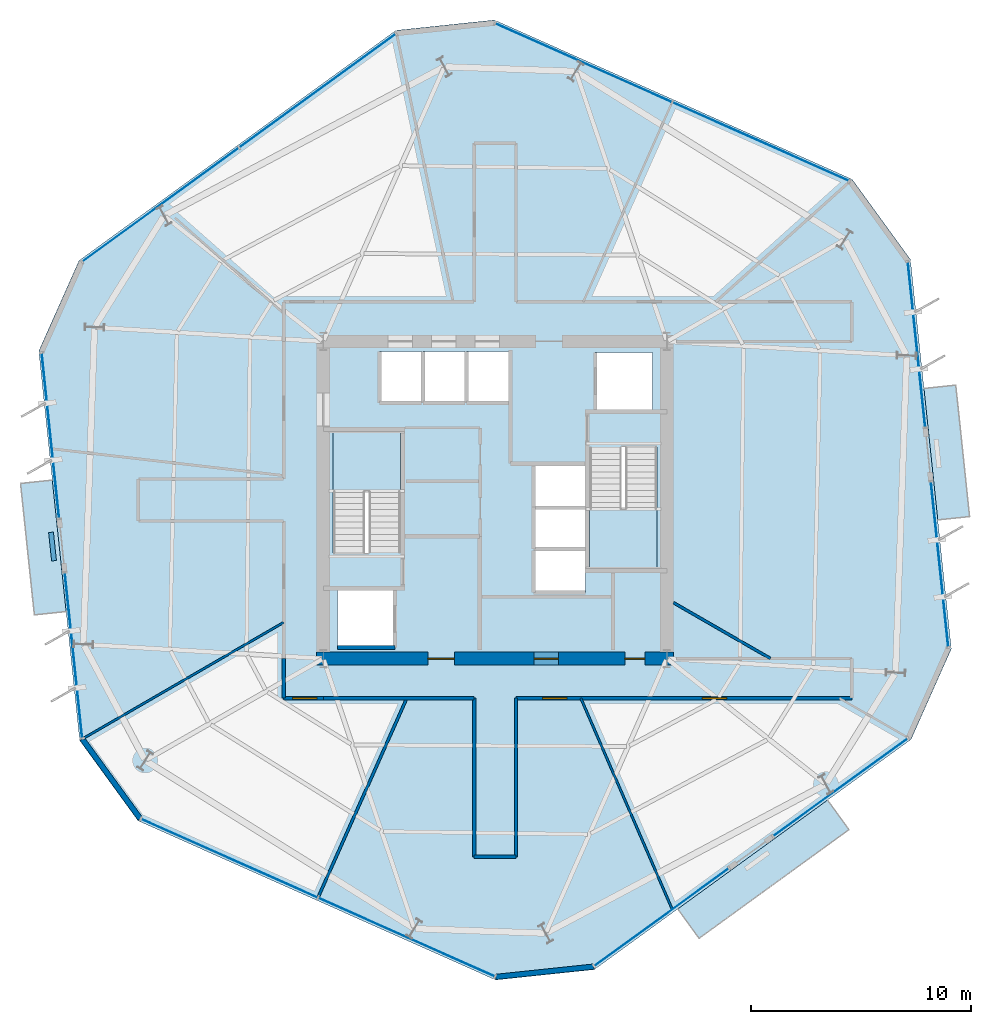
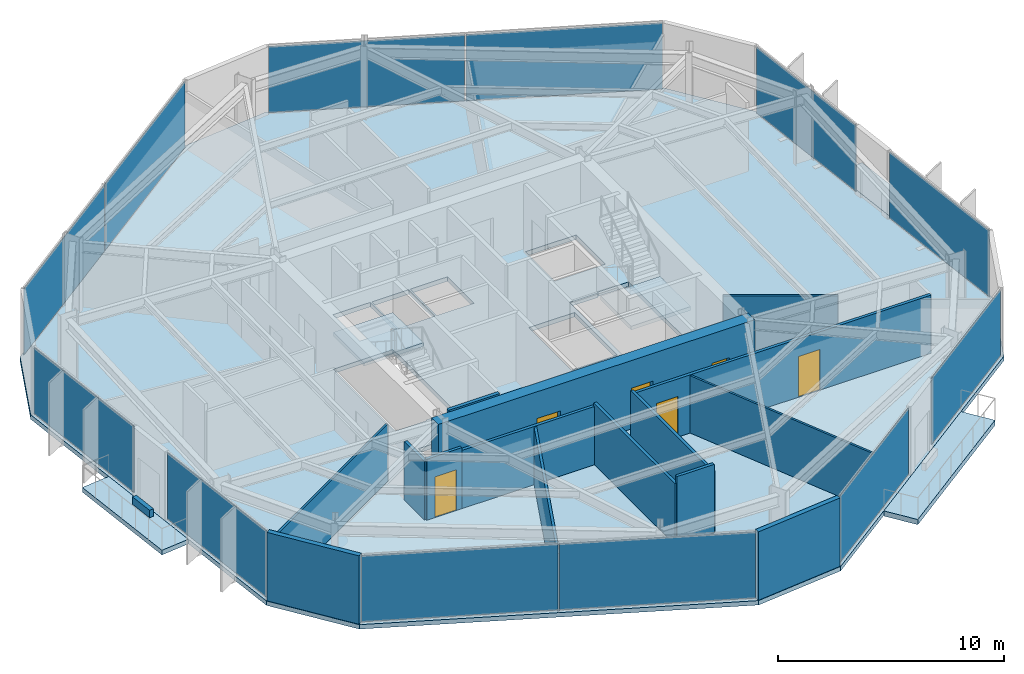
# One storey, part 6 of 12: 16 walls, 12 plates, 6 doors, 6 slabs, 6 openings, 11 elements without a shape of their own.
"""IFC4 building model written with IfcOpenShell, lengths in metres."""

from ifc_helpers import new_model, si_unit, direction, frame, frame_2d, origin, origin_2d, place, context, subcontext, project, spatial, polyline, rectangle, outline, extrude, material, layer, layer_set, type_object, element, fill, aggregate, save


model = new_model("IFC4")

# Units and contexts
model_context = context("Model", 3, precision=1e-05, world=origin(), true_north=direction((0.0, 1.0)))
body_context = subcontext(model_context, "Body", "Model", "MODEL_VIEW")
ifc_project = project(units=[si_unit("LENGTHUNIT", "METRE"), si_unit("AREAUNIT", "SQUARE_METRE"), si_unit("VOLUMEUNIT", "CUBIC_METRE"), si_unit("PLANEANGLEUNIT", "RADIAN"), si_unit("MASSUNIT", "GRAM", prefix="KILO")], contexts=[model_context])

# Site, building, storey
site_placement = place(None, origin())
site = spatial("IfcSite", under=ifc_project, at=site_placement, CompositionType="ELEMENT")
building_placement = place(site_placement, origin())
building = spatial("IfcBuilding", under=site, at=building_placement, Name="Kranzbogen Civic Tower", CompositionType="ELEMENT")
storey_placement = place(building_placement, frame((0.0, 0.0, 166.39990234375)))
storey = spatial("IfcBuildingStorey", under=building, at=storey_placement, Name="L40", CompositionType="ELEMENT", Elevation=166.39990234375)

# Slab
ifc_material_1 = material(Name="Concrete C40/50", Category="concrete")
ifc_layer_1 = layer(ifc_material_1, 0.239990234375, Name="Concrete C40/50")
ifc_layer_set_1 = layer_set([ifc_layer_1], Name="Concrete C40/50")
slab_type_1 = type_object("IfcSlabType", Name="Composite Lower Tower Floor Slab 240 mm", PredefinedType="FLOOR", material=ifc_layer_set_1)
slab_1_placement = place(storey_placement, frame((0.0, 0.0, -0.239990234375)))
element("IfcSlab", 1, at=slab_1_placement, inside=storey, type_object=slab_type_1, Name="L40 tower floor slab", PredefinedType="FLOOR", context=body_context, shape_type="SweptSolid", body=[
    extrude(outline(polyline([(41.217041015625, 39.56298828125), (24.971923828125, 46.7958984375), (20.49609375, 46.325927734375), (6.110107421875, 35.873046875), (4.280029296875, 31.761962890625), (6.137939453125, 14.076904296875), (8.782958984375, 10.43701171875), (25.028076171875, 3.2041015625), (29.50390625, 3.674072265625), (43.889892578125, 14.126953125), (45.719970703125, 18.238037109375), (43.862060546875, 35.923095703125), (41.217041015625, 39.56298828125)]), holes=[polyline([(20.449951171875, 20.89990234375), (20.449951171875, 18.300048828125), (17.85009765625, 18.300048828125), (17.85009765625, 20.89990234375), (20.449951171875, 20.89990234375)]), polyline([(29.10009765625, 22.699951171875), (29.10009765625, 20.800048828125), (26.75, 20.800048828125), (26.75, 22.699951171875), (29.10009765625, 22.699951171875)]), polyline([(29.10009765625, 24.64990234375), (29.10009765625, 22.77490234375), (26.75, 22.77490234375), (26.75, 24.64990234375), (26.75, 24.675048828125), (26.75, 26.550048828125), (29.10009765625, 26.550048828125), (29.10009765625, 24.675048828125), (29.10009765625, 24.64990234375)]), polyline([(30.75, 27.340087890625), (30.75, 27.39990234375), (32.35009765625, 27.39990234375), (32.35009765625, 21.89990234375), (29.300048828125, 21.89990234375), (29.300048828125, 27.340087890625), (30.75, 27.340087890625)]), polyline([(19.25, 22.659912109375), (19.25, 22.60009765625), (17.64990234375, 22.60009765625), (17.64990234375, 28.10009765625), (20.699951171875, 28.10009765625), (20.699951171875, 22.659912109375), (19.25, 22.659912109375)]), polyline([(32.14990234375, 31.699951171875), (32.14990234375, 29.10009765625), (29.550048828125, 29.10009765625), (29.550048828125, 31.699951171875), (32.14990234375, 31.699951171875)]), polyline([(21.64990234375, 31.75), (21.64990234375, 29.39990234375), (19.75, 29.39990234375), (19.75, 31.75), (21.64990234375, 31.75)]), polyline([(23.625, 29.39990234375), (21.72509765625, 29.39990234375), (21.72509765625, 31.75), (23.625, 31.75), (23.625, 29.39990234375)]), polyline([(25.60009765625, 29.39990234375), (23.699951171875, 29.39990234375), (23.699951171875, 31.75), (25.60009765625, 31.75), (25.60009765625, 29.39990234375)])]), origin(), (0.0, 0.0, 1.0), 0.239990234375),
])

# Curtain wall, plates
ifc_material_2 = material(Name="Pale Anodised Aluminium", Category="aluminium")
ifc_layer_2 = layer(ifc_material_2, 0.219970703125, Name="Pale Anodised Aluminium")
ifc_layer_set_2 = layer_set([ifc_layer_2], Name="Pale Anodised Aluminium")
curtain_wall_type = type_object("IfcCurtainWallType", Name="Zone 2 Stick Curtain Wall System CW-03", PredefinedType="USERDEFINED", material=ifc_layer_set_2)
curtain_wall_1_placement = place(storey_placement, origin())
curtain_wall_1 = element("IfcCurtainWall", 2, at=curtain_wall_1_placement, inside=storey, type_object=curtain_wall_type, Name="L40 curtain wall CW-L40-F1", ObjectType="STICK CURTAIN WALL", PredefinedType="USERDEFINED")
ifc_material_3 = material(Name="Low-E Triple Glazing Glass", Category="glass")
ifc_layer_3 = layer(ifc_material_3, 0.031982421875, Name="Low-E Triple Glazing Glass")
ifc_layer_set_3 = layer_set([ifc_layer_3], Name="Low-E Triple Glazing Glass")
plate_type = type_object("IfcPlateType", Name="Insulated Low-E Glazing Panel 32 mm", PredefinedType="CURTAIN_PANEL", material=ifc_layer_set_3)
plate_1_placement = place(storey_placement, frame((37.06396484375, 41.27197265625, 0.06005859375), z_axis=(0.0, 0.0, 1.0), x_axis=(-0.913533600789, 0.406763272961, 0.0)))
plate_1 = element("IfcPlate", 3, at=plate_1_placement, type_object=plate_type, Name="CW-03 panel 1.1", PredefinedType="CURTAIN_PANEL", context=body_context, shape_type="SweptSolid", body=[
    extrude(rectangle(XDim=8.744384765625, YDim=0.028076171875, at=origin_2d()), origin(), (0.0, 0.0, 1.0), 3.580078125),
])
plate_2_placement = place(storey_placement, frame((29.02099609375, 44.85302734375, 0.06005859375), z_axis=(0.0, 0.0, 1.0), x_axis=(-0.913533600789, 0.406763272961, 0.0)))
plate_2 = element("IfcPlate", 4, at=plate_2_placement, type_object=plate_type, Name="CW-03 panel 2.1", PredefinedType="CURTAIN_PANEL", context=body_context, shape_type="SweptSolid", body=[
    extrude(rectangle(XDim=8.744384765625, YDim=0.028076171875, at=origin_2d()), origin(), (0.0, 0.0, 1.0), 3.580078125),
])
aggregate(curtain_wall_1, [plate_1, plate_2])

curtain_wall_2_placement = place(storey_placement, origin())
curtain_wall_2 = element("IfcCurtainWall", 5, at=curtain_wall_2_placement, inside=storey, type_object=curtain_wall_type, Name="L40 curtain wall CW-L40-F2", ObjectType="STICK CURTAIN WALL", PredefinedType="USERDEFINED")
plate_3_placement = place(storey_placement, frame((16.939453125, 43.583740234375, 0.06005859375), z_axis=(0.0, 0.0, 1.0), x_axis=(-0.808995433377, -0.587814927315, 0.0)))
plate_3 = element("IfcPlate", 6, at=plate_3_placement, type_object=plate_type, Name="CW-03 panel 1.1", PredefinedType="CURTAIN_PANEL", context=body_context, shape_type="SweptSolid", body=[
    extrude(rectangle(XDim=8.744384765625, YDim=0.028076171875, at=origin_2d()), origin(), (0.0, 0.0, 1.0), 3.580078125),
])
plate_4_placement = place(storey_placement, frame((9.816650390625, 38.408203125, 0.06005859375), z_axis=(0.0, 0.0, 1.0), x_axis=(-0.808995433377, -0.587814927315, 0.0)))
plate_4 = element("IfcPlate", 7, at=plate_4_placement, type_object=plate_type, Name="CW-03 panel 2.1", PredefinedType="CURTAIN_PANEL", context=body_context, shape_type="SweptSolid", body=[
    extrude(rectangle(XDim=8.744384765625, YDim=0.028076171875, at=origin_2d()), origin(), (0.0, 0.0, 1.0), 3.580078125),
])
aggregate(curtain_wall_2, [plate_3, plate_4])

# Curtain wall, plate
curtain_wall_3_placement = place(storey_placement, origin())
curtain_wall_3 = element("IfcCurtainWall", 8, at=curtain_wall_3_placement, inside=storey, type_object=curtain_wall_type, Name="L40 curtain wall CW-L40-F3-S1", ObjectType="STICK CURTAIN WALL", PredefinedType="USERDEFINED")
plate_5_placement = place(storey_placement, frame((4.81201171875, 27.922607421875, 0.06005859375), z_axis=(0.0, 0.0, 1.0), x_axis=(0.104521149206, -0.99452266408, 0.0)))
plate_5 = element("IfcPlate", 9, at=plate_5_placement, type_object=plate_type, Name="CW-03 panel 1.1", PredefinedType="CURTAIN_PANEL", context=body_context, shape_type="SweptSolid", body=[
    extrude(rectangle(XDim=7.514892578125, YDim=0.028076171875, at=origin_2d()), origin(), (0.0, 0.0, 1.0), 3.580078125),
])
aggregate(curtain_wall_3, [plate_5])

curtain_wall_4_placement = place(storey_placement, origin())
curtain_wall_4 = element("IfcCurtainWall", 10, at=curtain_wall_4_placement, inside=storey, type_object=curtain_wall_type, Name="L40 curtain wall CW-L40-F3-S2", ObjectType="STICK CURTAIN WALL", PredefinedType="USERDEFINED")
plate_6_placement = place(storey_placement, frame((5.860107421875, 17.943115234375, 0.06005859375), z_axis=(0.0, 0.0, 1.0), x_axis=(0.104534766048, -0.994521232899, 0.0)))
plate_6 = element("IfcPlate", 11, at=plate_6_placement, type_object=plate_type, Name="CW-03 panel 1.1", PredefinedType="CURTAIN_PANEL", context=body_context, shape_type="SweptSolid", body=[
    extrude(rectangle(XDim=7.513916015625, YDim=0.028076171875, at=origin_2d()), origin(), (0.0, 0.0, 1.0), 3.580078125),
])
aggregate(curtain_wall_4, [plate_6])

# Curtain wall, plates
curtain_wall_5_placement = place(storey_placement, origin())
curtain_wall_5 = element("IfcCurtainWall", 12, at=curtain_wall_5_placement, inside=storey, type_object=curtain_wall_type, Name="L40 curtain wall CW-L40-F4", ObjectType="STICK CURTAIN WALL", PredefinedType="USERDEFINED")
plate_7_placement = place(storey_placement, frame((12.93603515625, 8.72802734375, 0.06005859375), z_axis=(0.0, 0.0, 1.0), x_axis=(0.913533600789, -0.406763272961, 0.0)))
plate_7 = element("IfcPlate", 13, at=plate_7_placement, type_object=plate_type, Name="CW-03 panel 1.1", PredefinedType="CURTAIN_PANEL", context=body_context, shape_type="SweptSolid", body=[
    extrude(rectangle(XDim=8.744384765625, YDim=0.028076171875, at=origin_2d()), origin(), (0.0, 0.0, 1.0), 3.580078125),
])
plate_8_placement = place(storey_placement, frame((20.97900390625, 5.14697265625, 0.06005859375), z_axis=(0.0, 0.0, 1.0), x_axis=(0.913533600789, -0.406763272961, 0.0)))
plate_8 = element("IfcPlate", 14, at=plate_8_placement, type_object=plate_type, Name="CW-03 panel 2.1", PredefinedType="CURTAIN_PANEL", context=body_context, shape_type="SweptSolid", body=[
    extrude(rectangle(XDim=8.744384765625, YDim=0.028076171875, at=origin_2d()), origin(), (0.0, 0.0, 1.0), 3.580078125),
])
aggregate(curtain_wall_5, [plate_7, plate_8])

# Curtain wall, plate
curtain_wall_6_placement = place(storey_placement, origin())
curtain_wall_6 = element("IfcCurtainWall", 15, at=curtain_wall_6_placement, inside=storey, type_object=curtain_wall_type, Name="L40 curtain wall CW-L40-F5-S1", ObjectType="STICK CURTAIN WALL", PredefinedType="USERDEFINED")
plate_9_placement = place(storey_placement, frame((32.56298828125, 6.054931640625, 0.06005859375), z_axis=(0.0, 0.0, 1.0), x_axis=(0.808962592733, 0.587860122443, 0.0)))
plate_9 = element("IfcPlate", 16, at=plate_9_placement, type_object=plate_type, Name="CW-03 panel 1.1", PredefinedType="CURTAIN_PANEL", context=body_context, shape_type="SweptSolid", body=[
    extrude(rectangle(XDim=7.514404296875, YDim=0.028076171875, at=origin_2d()), origin(), (0.0, 0.0, 1.0), 3.580078125),
])
aggregate(curtain_wall_6, [plate_9])

curtain_wall_7_placement = place(storey_placement, origin())
curtain_wall_7 = element("IfcCurtainWall", 17, at=curtain_wall_7_placement, inside=storey, type_object=curtain_wall_type, Name="L40 curtain wall CW-L40-F5-S2", ObjectType="STICK CURTAIN WALL", PredefinedType="USERDEFINED")
plate_10_placement = place(storey_placement, frame((40.680908203125, 11.952880859375, 0.06005859375), z_axis=(0.0, 0.0, 1.0), x_axis=(0.808962592733, 0.587860122443, 0.0)))
plate_10 = element("IfcPlate", 18, at=plate_10_placement, type_object=plate_type, Name="CW-03 panel 1.1", PredefinedType="CURTAIN_PANEL", context=body_context, shape_type="SweptSolid", body=[
    extrude(rectangle(XDim=7.514404296875, YDim=0.028076171875, at=origin_2d()), origin(), (0.0, 0.0, 1.0), 3.580078125),
])
aggregate(curtain_wall_7, [plate_10])

curtain_wall_8_placement = place(storey_placement, origin())
curtain_wall_8 = element("IfcCurtainWall", 19, at=curtain_wall_8_placement, inside=storey, type_object=curtain_wall_type, Name="L40 curtain wall CW-L40-F6-S1", ObjectType="STICK CURTAIN WALL", PredefinedType="USERDEFINED")
plate_11_placement = place(storey_placement, frame((45.18798828125, 22.077392578125, 0.06005859375), z_axis=(0.0, 0.0, 1.0), x_axis=(-0.104521149206, 0.99452266408, 0.0)))
plate_11 = element("IfcPlate", 20, at=plate_11_placement, type_object=plate_type, Name="CW-03 panel 1.1", PredefinedType="CURTAIN_PANEL", context=body_context, shape_type="SweptSolid", body=[
    extrude(rectangle(XDim=7.514892578125, YDim=0.028076171875, at=origin_2d()), origin(), (0.0, 0.0, 1.0), 3.580078125),
])
aggregate(curtain_wall_8, [plate_11])

curtain_wall_9_placement = place(storey_placement, origin())
curtain_wall_9 = element("IfcCurtainWall", 21, at=curtain_wall_9_placement, inside=storey, type_object=curtain_wall_type, Name="L40 curtain wall CW-L40-F6-S2", ObjectType="STICK CURTAIN WALL", PredefinedType="USERDEFINED")
plate_12_placement = place(storey_placement, frame((44.139892578125, 32.056884765625, 0.06005859375), z_axis=(0.0, 0.0, 1.0), x_axis=(-0.104534766048, 0.994521232899, 0.0)))
plate_12 = element("IfcPlate", 22, at=plate_12_placement, type_object=plate_type, Name="CW-03 panel 1.1", PredefinedType="CURTAIN_PANEL", context=body_context, shape_type="SweptSolid", body=[
    extrude(rectangle(XDim=7.513916015625, YDim=0.028076171875, at=origin_2d()), origin(), (0.0, 0.0, 1.0), 3.580078125),
])
aggregate(curtain_wall_9, [plate_12])

# Stair, slab
ifc_material_4 = material(Name="Precast concrete C40/50", Category="concrete")
stair_type_1 = type_object("IfcStairType", Name="Tower Core Pressurized Dogleg Stair 1450", PredefinedType="HALF_TURN_STAIR", material=ifc_material_4)
stair_1_placement = place(storey_placement, origin())
stair_1 = element("IfcStair", 23, at=stair_1_placement, inside=storey, type_object=stair_type_1, Name="L40 Tower Core Pressurized Stair 1", PredefinedType="HALF_TURN_STAIR")
ifc_layer_4 = layer(ifc_material_4, 0.199951171875, Name="Precast concrete C40/50")
ifc_layer_set_4 = layer_set([ifc_layer_4], Name="Precast concrete C40/50")
slab_type_2 = type_object("IfcSlabType", Name="Precast Concrete Stair Landing Slab 200 mm", PredefinedType="LANDING", material=ifc_layer_set_4)
slab_2_placement = place(storey_placement, frame((0.0, 0.0, 1.800048828125)))
slab_2 = element("IfcSlab", 24, at=slab_2_placement, type_object=slab_type_2, Name="ST-T1 landing 1", PredefinedType="LANDING", context=body_context, shape_type="SweptSolid", body=[
    extrude(outline(polyline([(20.699951171875, 25.39990234375), (20.699951171875, 28.10009765625), (17.64990234375, 28.10009765625), (17.64990234375, 25.39990234375), (20.699951171875, 25.39990234375)])), origin(), (0.0, 0.0, 1.0), 0.199951171875),
])
aggregate(stair_1, [slab_2])

stair_type_2 = type_object("IfcStairType", Name="Tower Core Secondary Dogleg Stair 1450", PredefinedType="HALF_TURN_STAIR", material=ifc_material_4)
stair_2_placement = place(storey_placement, origin())
stair_2 = element("IfcStair", 25, at=stair_2_placement, inside=storey, type_object=stair_type_2, Name="L40 Tower Core Pressurized Stair 2", PredefinedType="HALF_TURN_STAIR")
slab_3_placement = place(storey_placement, frame((0.0, 0.0, 1.800048828125)))
slab_3 = element("IfcSlab", 26, at=slab_3_placement, type_object=slab_type_2, Name="ST-T2 landing 1", PredefinedType="LANDING", context=body_context, shape_type="SweptSolid", body=[
    extrude(outline(polyline([(29.300048828125, 24.60009765625), (29.300048828125, 21.89990234375), (32.35009765625, 21.89990234375), (32.35009765625, 24.60009765625), (29.300048828125, 24.60009765625)])), origin(), (0.0, 0.0, 1.0), 0.199951171875),
])
aggregate(stair_2, [slab_3])

# Slabs
ifc_layer_5 = layer(ifc_material_1, 0.280029296875, Name="Concrete C40/50")
ifc_layer_set_5 = layer_set([ifc_layer_5], Name="Concrete C40/50")
slab_type_3 = type_object("IfcSlabType", Name="Spiral Terrace Cantilevered Slab 280 mm", PredefinedType="FLOOR", material=ifc_layer_set_5)
slab_4_placement = place(storey_placement, frame((0.0, 0.0, -0.27978515625)))
element("IfcSlab", 27, at=slab_4_placement, inside=storey, type_object=slab_type_3, Name="L40 cantilevered spiral terrace L40-ST", PredefinedType="FLOOR", context=body_context, shape_type="SweptSolid", body=[
    extrude(outline(polyline([(33.299072265625, 6.431884765625), (40.094970703125, 11.368896484375), (41.06494140625, 10.033935546875), (34.26904296875, 5.096923828125), (33.299072265625, 6.431884765625)])), origin(), (0.0, 0.0, 1.0), 0.27978515625),
])
ifc_layer_6 = layer(ifc_material_1, 0.25, Name="Concrete C40/50")
ifc_layer_set_6 = layer_set([ifc_layer_6], Name="Concrete C40/50")
slab_type_4 = type_object("IfcSlabType", Name="Tree Balcony Cantilevered Slab 250 mm", PredefinedType="FLOOR", material=ifc_layer_set_6)
slab_5_placement = place(storey_placement, frame((0.0, 0.0, -0.25)))
element("IfcSlab", 28, at=slab_5_placement, inside=storey, type_object=slab_type_4, Name="L40 cantilevered tree balcony L40-TB1", PredefinedType="FLOOR", context=body_context, shape_type="SweptSolid", body=[
    extrude(outline(polyline([(4.89501953125, 25.903076171875), (5.52294921875, 19.93603515625), (4.0810546875, 19.783935546875), (3.452880859375, 25.7509765625), (4.89501953125, 25.903076171875)])), origin(), (0.0, 0.0, 1.0), 0.25),
])
slab_6_placement = place(storey_placement, frame((0.0, 0.0, -0.25)))
element("IfcSlab", 29, at=slab_6_placement, inside=storey, type_object=slab_type_4, Name="L40 cantilevered tree balcony L40-TB2", PredefinedType="FLOOR", context=body_context, shape_type="SweptSolid", body=[
    extrude(outline(polyline([(45.10498046875, 24.096923828125), (44.47705078125, 30.06396484375), (45.9189453125, 30.216064453125), (46.547119140625, 24.2490234375), (45.10498046875, 24.096923828125)])), origin(), (0.0, 0.0, 1.0), 0.25),
])

# Wall, opening, door
ifc_material_5 = material(Name="Double-Stud Acoustic Gypsum Partition")
ifc_layer_7 = layer(ifc_material_5, 0.14990234375, Name="Double-Stud Acoustic Gypsum Partition")
ifc_layer_set_7 = layer_set([ifc_layer_7], Name="Double-Stud Acoustic Gypsum Partition")
wall_type_1 = type_object("IfcWallType", Name="Acoustic Corridor and Clinical Partition 150 mm", PredefinedType="PARTITIONING", material=ifc_layer_set_7)
wall_1_placement = place(storey_placement, frame((17.199951171875, 16.0, 0.0), z_axis=(0.0, 0.0, 1.0), x_axis=(-1.0, 0.0, 0.0)))
wall_1 = element("IfcWall", 30, at=wall_1_placement, inside=storey, type_object=wall_type_1, Name="L40 corridor partition 01", PredefinedType="PARTITIONING", context=body_context, shape_type="SweptSolid", body=[
    extrude(rectangle(XDim=1.800048828125, YDim=0.14990234375, at=frame_2d((0.89990234375, 0.0))), origin(), (0.0, 0.0, 1.0), 3.300048828125),
])
opening_1_placement = place(wall_1_placement, frame((0.287109375, 0.0, 0.0)))
opening_1 = element("IfcOpeningElement", 31, at=opening_1_placement, cuts=wall_1, Name="Opening D-COR60", PredefinedType="OPENING", context=body_context, shape_type="SweptSolid", body=[
    extrude(rectangle(XDim=1.10009765625, YDim=2.199951171875, at=frame_2d((0.550048828125, 1.10009765625))), frame((0.0, 0.0849609375, 0.0), z_axis=(0.0, -1.0, 0.0), x_axis=(1.0, 0.0, 0.0)), (0.0, 0.0, 1.0), 0.169921875),
])
ifc_material_6 = material(Name="Oak Timber and Fire Core", Category="wood")
door_type_1 = type_object("IfcDoorType", Name="Corridor Acoustic Fire Door 1100x2200", OperationType="NOTDEFINED", PredefinedType="DOOR", material=ifc_material_6)
door_1_placement = place(opening_1_placement, origin())
door_1 = element("IfcDoor", 32, at=door_1_placement, inside=storey, type_object=door_type_1, Name="L40 Urban Design Workshop door", OperationType="SINGLE_SWING_LEFT", OverallHeight=2.199951171875, OverallWidth=1.10009765625, PredefinedType="DOOR", context=body_context, shape_type="SweptSolid", body=[
    extrude(rectangle(XDim=1.10009765625, YDim=2.199951171875, at=frame_2d((0.550048828125, 1.10009765625))), frame((0.0, 0.02490234375, 0.0), z_axis=(0.0, -1.0, 0.0), x_axis=(1.0, 0.0, 0.0)), (0.0, 0.0, 1.0), 0.050048828125),
])
fill(opening_1, door_1)

# Wall
wall_2_placement = place(storey_placement, frame((15.39990234375, 16.0, 0.0), z_axis=(0.0, 0.0, 1.0), x_axis=(0.0, 1.0, 0.0)))
element("IfcWall", 33, at=wall_2_placement, inside=storey, type_object=wall_type_1, Name="L40 corridor partition 02", PredefinedType="PARTITIONING", context=body_context, shape_type="SweptSolid", body=[
    extrude(rectangle(XDim=1.800048828125, YDim=0.14990234375, at=frame_2d((0.89990234375, 0.0))), origin(), (0.0, 0.0, 1.0), 3.150146484375),
])

# Wall, openings, doors
wall_3_placement = place(storey_placement, frame((41.199951171875, 16.0, 0.0), z_axis=(0.0, 0.0, 1.0), x_axis=(-1.0, 0.0, 0.0)))
wall_3 = element("IfcWall", 34, at=wall_3_placement, inside=storey, type_object=wall_type_1, Name="L40 corridor partition 19", PredefinedType="PARTITIONING", context=body_context, shape_type="SweptSolid", body=[
    extrude(rectangle(XDim=15.25, YDim=0.14990234375, at=frame_2d((7.625, 0.0))), origin(), (0.0, 0.0, 1.0), 3.150146484375),
])
opening_2_placement = place(wall_3_placement, frame((12.943115234375, 0.0, 0.0)))
opening_2 = element("IfcOpeningElement", 35, at=opening_2_placement, cuts=wall_3, Name="Opening D-COR60", PredefinedType="OPENING", context=body_context, shape_type="SweptSolid", body=[
    extrude(rectangle(XDim=1.10009765625, YDim=2.199951171875, at=frame_2d((0.550048828125, 1.10009765625))), frame((0.0, 0.0849609375, 0.0), z_axis=(0.0, -1.0, 0.0), x_axis=(1.0, 0.0, 0.0)), (0.0, 0.0, 1.0), 0.169921875),
])
opening_3_placement = place(wall_3_placement, frame((5.679931640625, 0.0, 0.0)))
opening_3 = element("IfcOpeningElement", 36, at=opening_3_placement, cuts=wall_3, Name="Opening D-COR60", PredefinedType="OPENING", context=body_context, shape_type="SweptSolid", body=[
    extrude(rectangle(XDim=1.10009765625, YDim=2.199951171875, at=frame_2d((0.550048828125, 1.10009765625))), frame((0.0, 0.0849609375, 0.0), z_axis=(0.0, -1.0, 0.0), x_axis=(1.0, 0.0, 0.0)), (0.0, 0.0, 1.0), 0.169921875),
])
door_2_placement = place(opening_2_placement, origin())
door_2 = element("IfcDoor", 37, at=door_2_placement, inside=storey, type_object=door_type_1, Name="L40 Cultural Screening Clubroom door", OperationType="SINGLE_SWING_RIGHT", OverallHeight=2.199951171875, OverallWidth=1.10009765625, PredefinedType="DOOR", context=body_context, shape_type="SweptSolid", body=[
    extrude(rectangle(XDim=1.10009765625, YDim=2.199951171875, at=frame_2d((0.550048828125, 1.10009765625))), frame((0.0, 0.02490234375, 0.0), z_axis=(0.0, -1.0, 0.0), x_axis=(1.0, 0.0, 0.0)), (0.0, 0.0, 1.0), 0.050048828125),
])
fill(opening_2, door_2)
door_3_placement = place(opening_3_placement, origin())
door_3 = element("IfcDoor", 38, at=door_3_placement, inside=storey, type_object=door_type_1, Name="L40 Delegates Sitting Lounge door", OperationType="SINGLE_SWING_LEFT", OverallHeight=2.199951171875, OverallWidth=1.10009765625, PredefinedType="DOOR", context=body_context, shape_type="SweptSolid", body=[
    extrude(rectangle(XDim=1.10009765625, YDim=2.199951171875, at=frame_2d((0.550048828125, 1.10009765625))), frame((0.0, 0.02490234375, 0.0), z_axis=(0.0, -1.0, 0.0), x_axis=(1.0, 0.0, 0.0)), (0.0, 0.0, 1.0), 0.050048828125),
])
fill(opening_3, door_3)

# Walls
wall_4_placement = place(storey_placement, frame((25.949951171875, 16.0, 0.0), z_axis=(0.0, 0.0, 1.0), x_axis=(0.0, -1.0, 0.0)))
element("IfcWall", 39, at=wall_4_placement, inside=storey, type_object=wall_type_1, Name="L40 corridor partition 20", PredefinedType="PARTITIONING", context=body_context, shape_type="SweptSolid", body=[
    extrude(rectangle(XDim=7.199951171875, YDim=0.14990234375, at=frame_2d((3.60009765625, 0.0))), origin(), (0.0, 0.0, 1.0), 3.300048828125),
])
wall_5_placement = place(storey_placement, frame((25.949951171875, 8.800048828125, 0.0), z_axis=(0.0, 0.0, 1.0), x_axis=(-1.0, 0.0, 0.0)))
element("IfcWall", 40, at=wall_5_placement, inside=storey, type_object=wall_type_1, Name="L40 corridor partition 21", PredefinedType="PARTITIONING", context=body_context, shape_type="SweptSolid", body=[
    extrude(rectangle(XDim=1.89990234375, YDim=0.14990234375, at=frame_2d((0.949951171875, 0.0))), origin(), (0.0, 0.0, 1.0), 3.7001953125),
])
wall_6_placement = place(storey_placement, frame((24.050048828125, 8.800048828125, 0.0), z_axis=(0.0, 0.0, 1.0), x_axis=(0.0, 1.0, 0.0)))
element("IfcWall", 41, at=wall_6_placement, inside=storey, type_object=wall_type_1, Name="L40 corridor partition 22", PredefinedType="PARTITIONING", context=body_context, shape_type="SweptSolid", body=[
    extrude(rectangle(XDim=7.199951171875, YDim=0.14990234375, at=frame_2d((3.60009765625, 0.0))), origin(), (0.0, 0.0, 1.0), 3.300048828125),
])
wall_7_placement = place(storey_placement, frame((24.050048828125, 16.0, 0.0), z_axis=(0.0, 0.0, 1.0), x_axis=(-1.0, 0.0, 0.0)))
element("IfcWall", 42, at=wall_7_placement, inside=storey, type_object=wall_type_1, Name="L40 corridor partition 23", PredefinedType="PARTITIONING", context=body_context, shape_type="SweptSolid", body=[
    extrude(rectangle(XDim=6.85009765625, YDim=0.14990234375, at=frame_2d((3.425048828125, 0.0))), origin(), (0.0, 0.0, 1.0), 3.150146484375),
])
ifc_material_7 = material(Name="Insulated Metal-Stud Gypsum Partition")
ifc_layer_8 = layer(ifc_material_7, 0.125, Name="Insulated Metal-Stud Gypsum Partition")
ifc_layer_set_8 = layer_set([ifc_layer_8], Name="Insulated Metal-Stud Gypsum Partition")
wall_type_2 = type_object("IfcWallType", Name="Acoustic Inter-Room Partition 125 mm", PredefinedType="PARTITIONING", material=ifc_layer_set_8)
wall_8_placement = place(storey_placement, frame((20.992919921875, 16.0, 0.0), z_axis=(0.0, 0.0, 1.0), x_axis=(-0.406801666568, -0.913516504546, 0.0)))
element("IfcWall", 43, at=wall_8_placement, inside=storey, type_object=wall_type_2, Name="L40 radial room partition 07", PredefinedType="PARTITIONING", context=body_context, shape_type="SweptSolid", body=[
    extrude(rectangle(XDim=9.903564453125, YDim=0.125, at=frame_2d((4.95166015625, 0.0))), origin(), (0.0, 0.0, 1.0), 3.10009765625),
])
wall_9_placement = place(storey_placement, frame((33.10009765625, 20.337890625, 0.0), z_axis=(0.0, 0.0, 1.0), x_axis=(0.866676533117, -0.498870511199, 0.0)))
element("IfcWall", 44, at=wall_9_placement, inside=storey, type_object=wall_type_2, Name="L40 radial room partition 09", PredefinedType="PARTITIONING", context=body_context, shape_type="SweptSolid", body=[
    extrude(rectangle(XDim=5.087158203125, YDim=0.125, at=frame_2d((2.54345703125, 0.0))), origin(), (0.0, 0.0, 1.0), 3.300048828125),
])
ifc_material_8 = material(Name="Architectural Precast Terracotta Concrete C40/50", Category="masonry")
ifc_layer_9 = layer(ifc_material_8, 0.219970703125, Name="Architectural Precast Terracotta Concrete C40/50")
ifc_layer_set_9 = layer_set([ifc_layer_9], Name="Architectural Precast Terracotta Concrete C40/50")
wall_type_3 = type_object("IfcWallType", Name="Architectural Tree Planter Kerb Wall 220 mm", PredefinedType="USERDEFINED", material=ifc_layer_set_9)
wall_10_placement = place(storey_placement, frame((4.837890625, 23.533935546875, 0.0), z_axis=(0.0, 0.0, 1.0), x_axis=(0.104860863868, -0.994486902492, 0.0)))
element("IfcWall", 45, at=wall_10_placement, inside=storey, type_object=wall_type_3, Name="L40 landscaped tree balcony planter L40-TB1", ObjectType="PLANTER_WALL", PredefinedType="USERDEFINED", context=body_context, shape_type="SweptSolid", body=[
    extrude(rectangle(XDim=1.299072265625, YDim=0.219970703125, at=frame_2d((0.6494140625, 0.0))), origin(), (0.0, 0.0, 1.0), 0.400146484375),
])

# Wall, openings, doors
ifc_material_9 = material(Name="Concrete C55/67", Category="concrete")
ifc_layer_10 = layer(ifc_material_9, 0.60009765625, Name="Concrete C55/67")
ifc_layer_set_10 = layer_set([ifc_layer_10], Name="Concrete C55/67")
wall_type_4 = type_object("IfcWallType", Name="Central Core Shear Wall 600 mm", PredefinedType="SHEAR", material=ifc_layer_set_10)
wall_11_placement = place(storey_placement, frame((16.89990234375, 17.800048828125, 0.0), z_axis=(0.0, 0.0, 1.0), x_axis=(1.0, 0.0, 0.0)))
wall_11 = element("IfcWall", 46, at=wall_11_placement, inside=storey, type_object=wall_type_4, Name="L40 central core South shear wall", PredefinedType="SHEAR", context=body_context, shape_type="SweptSolid", body=[
    extrude(rectangle(XDim=16.2001953125, YDim=0.60009765625, at=frame_2d((8.10009765625, 0.0))), origin(), (0.0, 0.0, 1.0), 3.7001953125),
])
opening_4_placement = place(wall_11_placement, frame((5.050048828125, 0.0, 0.0)))
opening_4 = element("IfcOpeningElement", 47, at=opening_4_placement, cuts=wall_11, Name="Opening D-EX120", PredefinedType="OPENING", context=body_context, shape_type="SweptSolid", body=[
    extrude(rectangle(XDim=1.199951171875, YDim=2.25, at=frame_2d((0.60009765625, 1.125))), frame((0.0, 0.31005859375, 0.0), z_axis=(0.0, -1.0, 0.0), x_axis=(1.0, 0.0, 0.0)), (0.0, 0.0, 1.0), 0.6201171875),
])
opening_5_placement = place(wall_11_placement, frame((14.0, 0.0, 0.0)))
opening_5 = element("IfcOpeningElement", 48, at=opening_5_placement, cuts=wall_11, Name="Opening D-WC90", PredefinedType="OPENING", context=body_context, shape_type="SweptSolid", body=[
    extrude(rectangle(XDim=0.89990234375, YDim=2.10009765625, at=frame_2d((0.449951171875, 1.050048828125))), frame((0.0, 0.31005859375, 0.0), z_axis=(0.0, -1.0, 0.0), x_axis=(1.0, 0.0, 0.0)), (0.0, 0.0, 1.0), 0.6201171875),
])
opening_6_placement = place(wall_11_placement, frame((9.875, 0.0, 0.0)))
opening_6 = element("IfcOpeningElement", 49, at=opening_6_placement, cuts=wall_11, Name="Opening D-COR60", PredefinedType="OPENING", context=body_context, shape_type="SweptSolid", body=[
    extrude(rectangle(XDim=1.10009765625, YDim=2.199951171875, at=frame_2d((0.550048828125, 1.10009765625))), frame((0.0, 0.31005859375, 0.0), z_axis=(0.0, -1.0, 0.0), x_axis=(1.0, 0.0, 0.0)), (0.0, 0.0, 1.0), 0.6201171875),
])
door_4_placement = place(opening_6_placement, origin())
door_4 = element("IfcDoor", 50, at=door_4_placement, inside=storey, type_object=door_type_1, Name="L40 REC1 archive room door", OperationType="SINGLE_SWING_LEFT", OverallHeight=2.199951171875, OverallWidth=1.10009765625, PredefinedType="DOOR", context=body_context, shape_type="SweptSolid", body=[
    extrude(rectangle(XDim=1.10009765625, YDim=2.199951171875, at=frame_2d((0.550048828125, 1.10009765625))), frame((0.0, 0.02490234375, 0.0), z_axis=(0.0, -1.0, 0.0), x_axis=(1.0, 0.0, 0.0)), (0.0, 0.0, 1.0), 0.050048828125),
])
fill(opening_6, door_4)
ifc_material_10 = material(Name="Steel S355", Category="steel")
door_type_2 = type_object("IfcDoorType", Name="Exit Passageway Fire Door 1200x2250", OperationType="NOTDEFINED", PredefinedType="DOOR", material=ifc_material_10)
door_5_placement = place(opening_4_placement, origin())
door_5 = element("IfcDoor", 51, at=door_5_placement, inside=storey, type_object=door_type_2, Name="L40 West firefighting lobby corridor door", OperationType="SINGLE_SWING_RIGHT", OverallHeight=2.25, OverallWidth=1.199951171875, PredefinedType="DOOR", context=body_context, shape_type="SweptSolid", body=[
    extrude(rectangle(XDim=1.199951171875, YDim=2.25, at=frame_2d((0.60009765625, 1.125))), frame((0.0, 0.02490234375, 0.0), z_axis=(0.0, -1.0, 0.0), x_axis=(1.0, 0.0, 0.0)), (0.0, 0.0, 1.0), 0.050048828125),
])
fill(opening_4, door_5)
ifc_material_11 = material(Name="Moisture-Resistant Laminate")
door_type_3 = type_object("IfcDoorType", Name="Standard Restroom and Store Door 900x2100", OperationType="NOTDEFINED", PredefinedType="DOOR", material=ifc_material_11)
door_6_placement = place(opening_5_placement, origin())
door_6 = element("IfcDoor", 52, at=door_6_placement, inside=storey, type_object=door_type_3, Name="L40 East electrical riser access door", OperationType="SINGLE_SWING_RIGHT", OverallHeight=2.10009765625, OverallWidth=0.89990234375, PredefinedType="DOOR", context=body_context, shape_type="SweptSolid", body=[
    extrude(rectangle(XDim=0.89990234375, YDim=2.10009765625, at=frame_2d((0.449951171875, 1.050048828125))), frame((0.0, 0.02490234375, 0.0), z_axis=(0.0, -1.0, 0.0), x_axis=(1.0, 0.0, 0.0)), (0.0, 0.0, 1.0), 0.050048828125),
])
fill(opening_5, door_6)

# Walls
ifc_material_12 = material(Name="Demountable Aluminium and Gypsum Partition", Category="aluminium")
ifc_layer_11 = layer(ifc_material_12, 0.10009765625, Name="Demountable Aluminium and Gypsum Partition")
ifc_layer_set_11 = layer_set([ifc_layer_11], Name="Demountable Aluminium and Gypsum Partition")
wall_type_5 = type_object("IfcWallType", Name="Demountable Office Partition 100 mm", PredefinedType="MOVABLE", material=ifc_layer_set_11)
wall_12_placement = place(storey_placement, frame((15.39990234375, 19.44091796875, 0.0), z_axis=(0.0, 0.0, 1.0), x_axis=(-0.86538348206, -0.501110196442, 0.0)))
element("IfcWall", 53, at=wall_12_placement, inside=storey, type_object=wall_type_5, Name="L40 radial room partition 06", PredefinedType="MOVABLE", context=body_context, shape_type="SweptSolid", body=[
    extrude(rectangle(XDim=10.54443359375, YDim=0.10009765625, at=frame_2d((5.272216796875, 0.0))), origin(), (0.0, 0.0, 1.0), 3.10009765625),
])
wall_13_placement = place(storey_placement, frame((28.89599609375, 16.0, 0.0), z_axis=(0.0, 0.0, 1.0), x_axis=(0.397240358387, -0.917714605784, 0.0)))
element("IfcWall", 54, at=wall_13_placement, inside=storey, type_object=wall_type_5, Name="L40 radial room partition 08", PredefinedType="MOVABLE", context=body_context, shape_type="SweptSolid", body=[
    extrude(rectangle(XDim=10.4345703125, YDim=0.10009765625, at=frame_2d((5.21728515625, 0.0))), origin(), (0.0, 0.0, 1.0), 3.10009765625),
])
ifc_material_13 = material(Name="Gypsum Fireboard Shaftliner")
ifc_layer_12 = layer(ifc_material_13, 0.175048828125, Name="Gypsum Fireboard Shaftliner")
ifc_layer_set_12 = layer_set([ifc_layer_12], Name="Gypsum Fireboard Shaftliner")
wall_type_6 = type_object("IfcWallType", Name="Fire-Rated Lift and Service Shaft Wall 175 mm", PredefinedType="PARTITIONING", material=ifc_layer_set_12)
wall_14_placement = place(storey_placement, frame((17.85009765625, 18.300048828125, 0.0), z_axis=(0.0, 0.0, 1.0), x_axis=(1.0, 0.0, 0.0)))
element("IfcWall", 55, at=wall_14_placement, inside=storey, type_object=wall_type_6, Name="L40 lift FF-01 side wall", PredefinedType="PARTITIONING", context=body_context, shape_type="SweptSolid", body=[
    extrude(rectangle(XDim=2.599853515625, YDim=0.175048828125, at=frame_2d((1.2998046875, 0.0))), origin(), (0.0, 0.0, 1.0), 3.7001953125),
])
ifc_layer_13 = layer(ifc_material_2, 0.239990234375, Name="Pale Anodised Aluminium")
ifc_layer_set_13 = layer_set([ifc_layer_13], Name="Pale Anodised Aluminium")
wall_type_7 = type_object("IfcWallType", Name="Insulated Aluminium Facade Portal Wall 240 mm", PredefinedType="STANDARD", material=ifc_layer_set_13)
wall_15_placement = place(storey_placement, frame((6.259033203125, 14.14697265625, 0.0), z_axis=(0.0, 0.0, 1.0), x_axis=(0.587898873753, -0.80893443136, 0.0)))
element("IfcWall", 56, at=wall_15_placement, inside=storey, type_object=wall_type_7, Name="L40 chamfered corner facade spandrel 3", PredefinedType="STANDARD", context=body_context, shape_type="SweptSolid", body=[
    extrude(rectangle(XDim=4.469970703125, YDim=0.239990234375, at=frame_2d((2.23486328125, 0.0))), origin(), (0.0, 0.0, 1.0), 3.7001953125),
])
wall_16_placement = place(storey_placement, frame((25.028076171875, 3.343994140625, 0.0), z_axis=(0.0, 0.0, 1.0), x_axis=(0.994530256506, 0.104448881729, 0.0)))
element("IfcWall", 57, at=wall_16_placement, inside=storey, type_object=wall_type_7, Name="L40 chamfered corner facade spandrel 4", PredefinedType="STANDARD", context=body_context, shape_type="SweptSolid", body=[
    extrude(rectangle(XDim=4.471435546875, YDim=0.239990234375, at=frame_2d((2.23583984375, 0.0))), origin(), (0.0, 0.0, 1.0), 3.7001953125),
])

save(model, "model.ifc")
